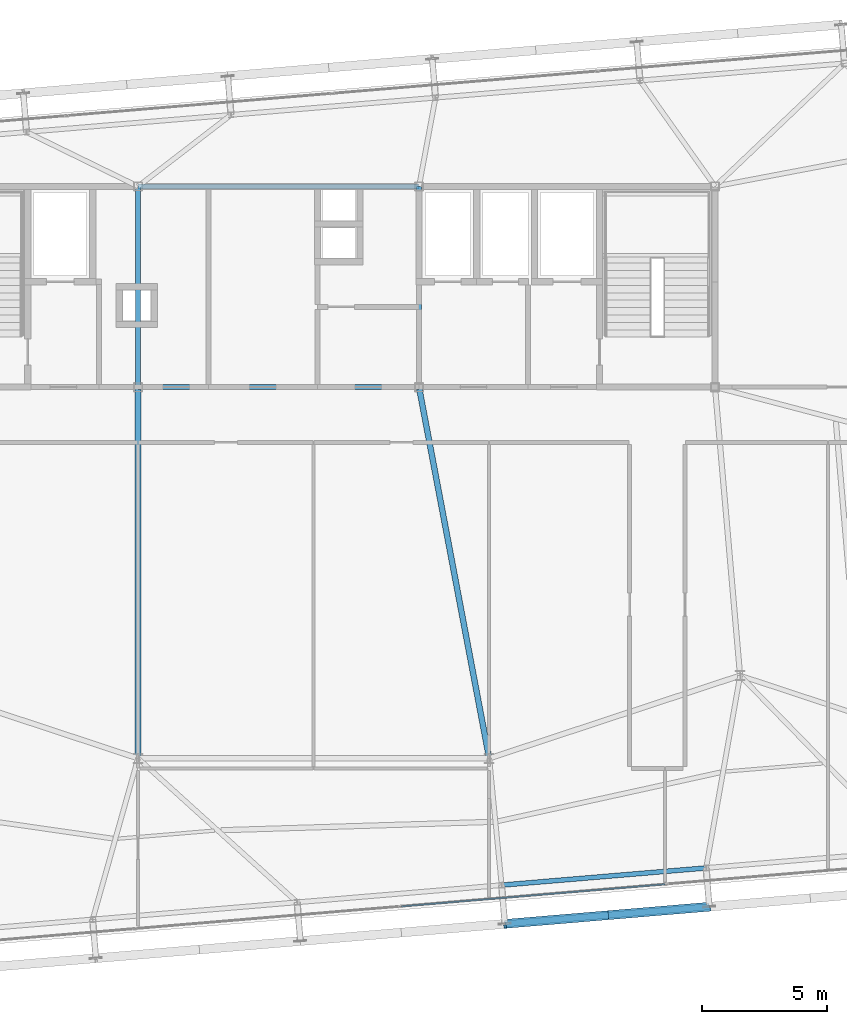
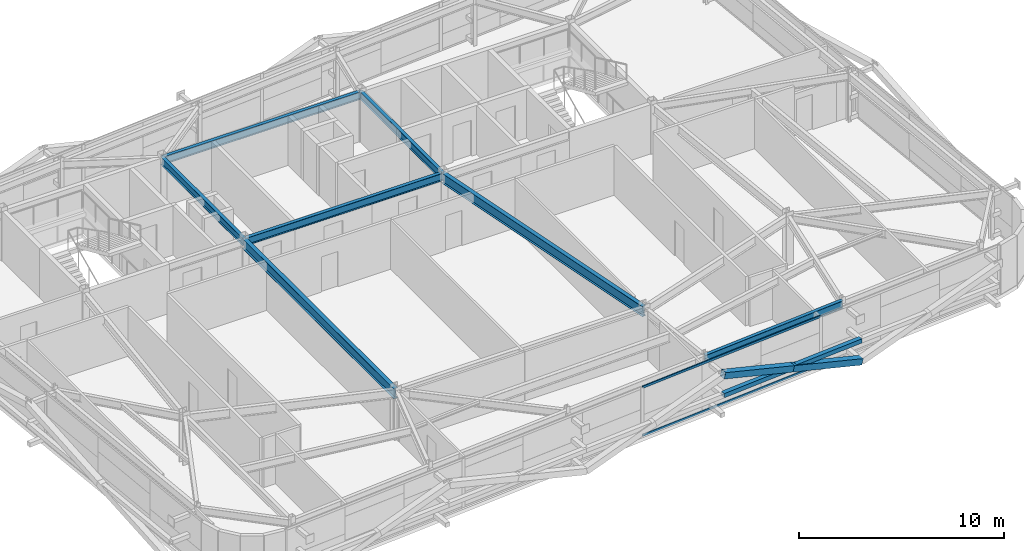
# One storey, part 15 of 37: 7 beams, 5 members, 1 element without a shape of its own.
"""IFC4 building model written with IfcOpenShell, lengths in metres."""

from ifc_helpers import new_model, si_unit, direction, frame, origin, origin_2d, place, context, subcontext, project, spatial, hollow_rectangle, i_section, extrude, source, transform, mapped, material, layer, layer_set, material_profile, profile_set, type_object, element, aggregate, save


model = new_model("IFC4")

# Units and contexts
model_context = context("Model", 3, precision=1e-05, world=origin(), true_north=direction((0.0, 1.0)))
body_context = subcontext(model_context, "Body", "Model", "MODEL_VIEW")
ifc_project = project(units=[si_unit("LENGTHUNIT", "METRE"), si_unit("AREAUNIT", "SQUARE_METRE"), si_unit("VOLUMEUNIT", "CUBIC_METRE"), si_unit("PLANEANGLEUNIT", "RADIAN"), si_unit("MASSUNIT", "GRAM", prefix="KILO")], contexts=[model_context])

# Site, building, storey
site_placement = place(None, origin())
site = spatial("IfcSite", under=ifc_project, at=site_placement, CompositionType="ELEMENT")
building_placement = place(site_placement, origin())
building = spatial("IfcBuilding", under=site, at=building_placement, Name="Taldren Reach Tower", CompositionType="ELEMENT")
storey_placement = place(building_placement, frame((0.0, 0.0, 172.550048828125)))
storey = spatial("IfcBuildingStorey", under=building, at=storey_placement, Name="L52", CompositionType="ELEMENT", Elevation=172.550048828125)

# Beams
ifc_material_1 = material(Name="Steel Gr 350 (350PLUS)", Category="steel")
ifc_material_profile_1 = material_profile(ifc_material_1, i_section(OverallWidth=0.19091796875, OverallDepth=0.4599609375, WebThickness=0.010009765625, FlangeThickness=0.01611328125, at=origin_2d()), Name="460UB82.1")
ifc_profile_set_1 = profile_set([ifc_material_profile_1], Name="Steel Gr 350 (350PLUS)")
beam_type_1 = type_object("IfcBeamType", Name="BM-UB460A", PredefinedType="BEAM", material=ifc_profile_set_1)
shared_shape_1 = source(origin(), body_context, "Body", "SweptSolid", [
    extrude(i_section(OverallWidth=0.19091796875, OverallDepth=0.4599609375, WebThickness=0.010009765625, FlangeThickness=0.01611328125, at=origin_2d()), origin(), (0.0, 0.0, 1.0), 11.199951171875),
])
for number, where, z_axis, x_axis, name in (
    (1, (28.0, 24.0, 2.699951171875), (1.0, 0.0, 0.0), (0.0, 1.0, 0.0), "Core-spine girder L52-SP02"),
    (2, (28.0, 32.0, 2.699951171875), (1.0, 0.0, 0.0), (0.0, 1.0, 0.0), "Core-spine girder L52-SP05"),
):
    element("IfcBeam", number, at=place(storey_placement, frame(where, z_axis=z_axis, x_axis=x_axis)), inside=storey, type_object=beam_type_1, Name=name, PredefinedType="BEAM", context=body_context, shape_type="MappedRepresentation", body=[
        mapped(shared_shape_1, transform((0.0, 0.0, 0.0), scale=1.0)),
    ])
shared_shape_2 = source(origin(), body_context, "Body", "SweptSolid", [
    extrude(i_section(OverallWidth=0.19091796875, OverallDepth=0.4599609375, WebThickness=0.010009765625, FlangeThickness=0.01611328125, at=origin_2d()), origin(), (0.0, 0.0, 1.0), 8.0),
])
for number, where, z_axis, x_axis, name in (
    (3, (28.0, 24.0, 2.699951171875), (0.0, 1.0, 0.0), (-1.0, 0.0, 0.0), "Core-spine girder L52-SP07"),
    (4, (39.199951171875, 24.0, 2.699951171875), (0.0, 1.0, 0.0), (-1.0, 0.0, 0.0), "Core-spine girder L52-SP08"),
):
    element("IfcBeam", number, at=place(storey_placement, frame(where, z_axis=z_axis, x_axis=x_axis)), inside=storey, type_object=beam_type_1, Name=name, PredefinedType="BEAM", context=body_context, shape_type="MappedRepresentation", body=[
        mapped(shared_shape_2, transform((0.0, 0.0, 0.0), scale=1.0)),
    ])
ifc_material_profile_2 = material_profile(ifc_material_1, i_section(OverallWidth=0.22802734375, OverallDepth=0.60205078125, WebThickness=0.010498046875, FlangeThickness=0.014892578125, at=origin_2d()), Name="610UB101")
ifc_profile_set_2 = profile_set([ifc_material_profile_2], Name="Steel Gr 350 (350PLUS)")
beam_type_2 = type_object("IfcBeamType", Name="BM-UB610B", PredefinedType="BEAM", material=ifc_profile_set_2)
shared_shape_3 = source(origin(), body_context, "Body", "SweptSolid", [
    extrude(i_section(OverallWidth=0.22802734375, OverallDepth=0.60205078125, WebThickness=0.010498046875, FlangeThickness=0.014892578125, at=origin_2d()), origin(), (0.0, 0.0, 1.0), 14.800048828125),
])
beam_1_placement = place(storey_placement, frame((28.0, 24.0, 2.62890625), z_axis=(0.0, -1.0, 0.0), x_axis=(1.0, 0.0, 0.0)))
element("IfcBeam", 5, at=beam_1_placement, inside=storey, type_object=beam_type_2, Name="Core-spine girder L52-SP14", PredefinedType="BEAM", context=body_context, shape_type="MappedRepresentation", body=[
    mapped(shared_shape_3, transform((0.0, 0.0, 0.0), scale=1.0)),
])
shared_shape_4 = source(origin(), body_context, "Body", "SweptSolid", [
    extrude(i_section(OverallWidth=0.22802734375, OverallDepth=0.60205078125, WebThickness=0.010498046875, FlangeThickness=0.014892578125, at=origin_2d()), origin(), (0.0, 0.0, 1.0), 15.0625),
])
beam_2_placement = place(storey_placement, frame((39.199951171875, 24.0, 2.62890625), z_axis=(0.185894205668, -0.982569765614, 0.0), x_axis=(0.982569765614, 0.185894205668, 0.0)))
element("IfcBeam", 6, at=beam_2_placement, inside=storey, type_object=beam_type_2, Name="Core-spine girder L52-SP15", PredefinedType="BEAM", context=body_context, shape_type="MappedRepresentation", body=[
    mapped(shared_shape_4, transform((0.0, 0.0, 0.0), scale=1.0)),
])
ifc_material_profile_3 = material_profile(ifc_material_1, i_section(OverallWidth=0.18994140625, OverallDepth=0.4541015625, WebThickness=0.008544921875, FlangeThickness=0.0126953125, at=origin_2d()), Name="460UB67.1")
ifc_profile_set_3 = profile_set([ifc_material_profile_3], Name="Steel Gr 350 (350PLUS)")
beam_type_3 = type_object("IfcBeamType", Name="SP-UB460B", PredefinedType="SPANDREL", material=ifc_profile_set_3)
shared_shape_5 = source(origin(), body_context, "Body", "SweptSolid", [
    extrude(i_section(OverallWidth=0.18994140625, OverallDepth=0.4541015625, WebThickness=0.008544921875, FlangeThickness=0.0126953125, at=origin_2d()), origin(), (0.0, 0.0, 1.0), 8.179931640625),
])
beam_3_placement = place(storey_placement, frame((42.49365234375, 4.1474609375, 2.702880859375), z_axis=(0.99649182565, 0.08369015123, 0.0), x_axis=(-0.08369015123, 0.99649182565, 0.0)))
element("IfcBeam", 7, at=beam_3_placement, inside=storey, type_object=beam_type_3, Name="Perimeter spandrel B4 S4-S5 L52", PredefinedType="SPANDREL", context=body_context, shape_type="MappedRepresentation", body=[
    mapped(shared_shape_5, transform((0.0, 0.0, 0.0), scale=1.0)),
])

# Members
ifc_material_2 = material(Name="Steel Gr 350 (C350L0)", Category="steel")
ifc_material_profile_4 = material_profile(ifc_material_2, hollow_rectangle(XDim=0.25, YDim=0.25, WallThickness=0.010009765625, at=origin_2d()), Name="250x250x10.0SHS")
ifc_profile_set_4 = profile_set([ifc_material_profile_4], Name="Steel Gr 350 (C350L0)")
member_type_1 = type_object("IfcMemberType", Name="MB-POST250", PredefinedType="POST", material=ifc_profile_set_4)
shared_shape_6 = source(origin(), body_context, "Body", "SweptSolid", [
    extrude(hollow_rectangle(XDim=0.25, YDim=0.25, WallThickness=0.010009765625, at=origin_2d()), origin(), (0.0, 0.0, 1.0), 8.179931640625),
])
member_1_placement = place(storey_placement, frame((42.623291015625, 2.60302734375, 1.43505859375), z_axis=(0.996494523218, 0.083658025296, 0.0), x_axis=(-0.083658025296, 0.996494523218, 0.0)))
element("IfcMember", 8, at=member_1_placement, inside=storey, type_object=member_type_1, Name="Exoskeleton mid-height ring chord B4-S4 L52", PredefinedType="POST", context=body_context, shape_type="MappedRepresentation", body=[
    mapped(shared_shape_6, transform((0.0, 0.0, 0.0), scale=1.0)),
])
ifc_material_3 = material(Name="Steel Gr 450 (C450L0)", Category="steel")
ifc_material_profile_5 = material_profile(ifc_material_3, hollow_rectangle(XDim=0.360107421875, YDim=0.360107421875, WallThickness=0.0126953125, at=origin_2d()), Name="360x360x12.7SHS")
ifc_profile_set_5 = profile_set([ifc_material_profile_5], Name="Steel Gr 450 (C450L0)")
member_type_2 = type_object("IfcMemberType", Name="MB-EXO356", PredefinedType="BRACE", material=ifc_profile_set_5)
shared_shape_7 = source(origin(), body_context, "Body", "SweptSolid", [
    extrude(hollow_rectangle(XDim=0.360107421875, YDim=0.360107421875, WallThickness=0.0126953125, at=origin_2d()), origin(), (0.0, 0.0, 1.0), 4.2666015625),
])
for number, where, z_axis, x_axis, name in (
    (9, (50.774658203125, 3.287353515625, 0.219970703125), (-0.955229159097, -0.080222312271, 0.284783486572), (0.083687662192, -0.996492034688, 0.0), "Exoskeleton Diagrid Brace B4-S4 L52"),
    (10, (46.698974609375, 2.945068359375, 1.43505859375), (-0.955249107127, -0.080166766448, 0.284732212595), (0.083628388178, -0.996497010879, 0.0), "Exoskeleton Diagrid Brace B4-S4 L52"),
):
    element("IfcMember", number, at=place(storey_placement, frame(where, z_axis=z_axis, x_axis=x_axis)), inside=storey, type_object=member_type_2, Name=name, PredefinedType="BRACE", context=body_context, shape_type="MappedRepresentation", body=[
        mapped(shared_shape_7, transform((0.0, 0.0, 0.0), scale=1.0)),
    ])

# Curtain wall, members
ifc_material_4 = material(Name="Aluminium and Low-E Glass Unitised System", Category="aluminium")
ifc_layer = layer(ifc_material_4, 0.159912109375)
ifc_layer_set = layer_set([ifc_layer], Name="Aluminium and Low-E Glass Unitised System")
curtain_wall_type = type_object("IfcCurtainWallType", Name="CW-SYS-5", PredefinedType="NOTDEFINED", material=ifc_layer_set)
curtain_wall_placement = place(storey_placement, origin())
curtain_wall = element("IfcCurtainWall", 11, at=curtain_wall_placement, inside=storey, type_object=curtain_wall_type, Name="Unitised curtain wall CW-L52-S", PredefinedType="NOTDEFINED")
ifc_material_5 = material(Name="Anodised Aluminium 6063-T6", Category="aluminium")
ifc_material_profile_6 = material_profile(ifc_material_5, hollow_rectangle(XDim=0.06005859375, YDim=0.135009765625, WallThickness=0.00341796875, at=origin_2d()), Name="ALU-135x60x3.5RHS")
ifc_profile_set_6 = profile_set([ifc_material_profile_6], Name="Anodised Aluminium 6063-T6")
member_type_3 = type_object("IfcMemberType", Name="CW-TRN-150", PredefinedType="USERDEFINED", material=ifc_profile_set_6)
shared_shape_8 = source(origin(), body_context, "Body", "SweptSolid", [
    extrude(hollow_rectangle(XDim=0.06005859375, YDim=0.135009765625, WallThickness=0.00341796875, at=origin_2d()), origin(), (0.0, 0.0, 1.0), 10.55517578125),
])
member_2_placement = place(storey_placement, frame((38.495361328125, 3.300048828125, 0.030029296875), z_axis=(0.996494202684, 0.083661843255, 0.0), x_axis=(-0.083661843255, 0.996494202684, 0.0)))
member_2 = element("IfcMember", 12, at=member_2_placement, type_object=member_type_3, Name="CW-5 transom 3.1", ObjectType="TRANSOM", PredefinedType="USERDEFINED", context=body_context, shape_type="MappedRepresentation", body=[
    mapped(shared_shape_8, transform((0.0, 0.0, 0.0), scale=1.0)),
])
member_3_placement = place(storey_placement, frame((38.495361328125, 3.300048828125, 2.89990234375), z_axis=(0.996494202684, 0.083661843255, 0.0), x_axis=(-0.083661843255, 0.996494202684, 0.0)))
member_3 = element("IfcMember", 13, at=member_3_placement, type_object=member_type_3, Name="CW-5 transom 3.2", ObjectType="TRANSOM", PredefinedType="USERDEFINED", context=body_context, shape_type="MappedRepresentation", body=[
    mapped(shared_shape_8, transform((0.0, 0.0, 0.0), scale=1.0)),
])
aggregate(curtain_wall, [member_2, member_3])

save(model, "model.ifc")
